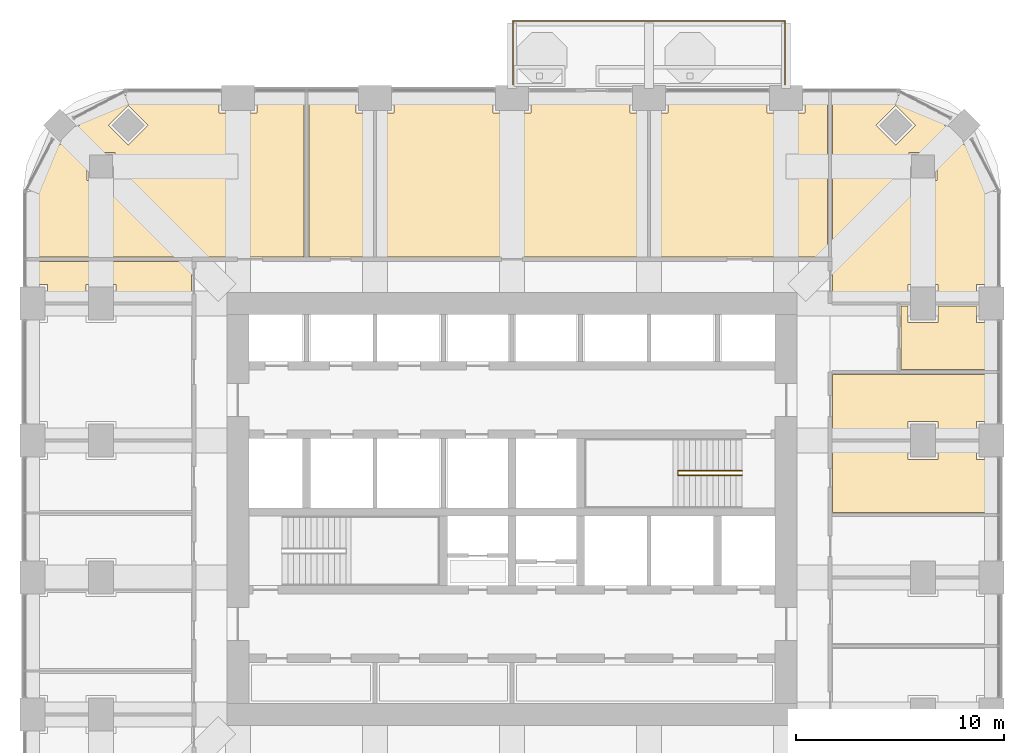
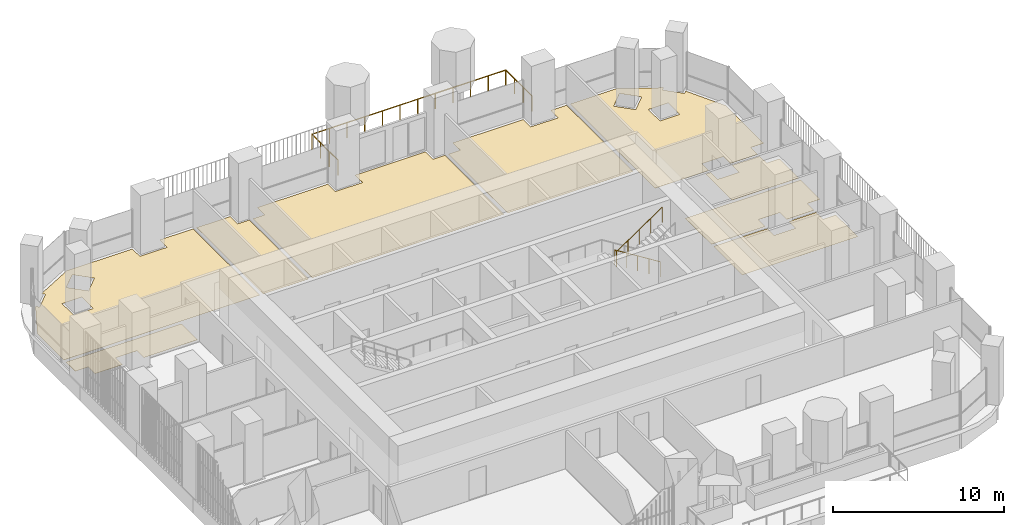
# One storey, part 18 of 19: 9 coverings, 2 railings.
"""IFC4 building model written with IfcOpenShell, lengths in metres."""

from ifc_helpers import new_model, si_unit, direction, frame, origin, place, context, subcontext, project, spatial, polyline, outline, extrude, material, layer, layer_set, type_object, element, save


model = new_model("IFC4")

# Units and contexts
model_context = context("Model", 3, precision=1e-05, world=origin(), true_north=direction((0.0, 1.0)))
body_context = subcontext(model_context, "Body", "Model", "MODEL_VIEW")
ifc_project = project(units=[si_unit("LENGTHUNIT", "METRE"), si_unit("AREAUNIT", "SQUARE_METRE"), si_unit("VOLUMEUNIT", "CUBIC_METRE"), si_unit("PLANEANGLEUNIT", "RADIAN"), si_unit("MASSUNIT", "GRAM", prefix="KILO")], contexts=[model_context])

# Site, building, storey
site_placement = place(None, origin())
site = spatial("IfcSite", under=ifc_project, at=site_placement, CompositionType="ELEMENT")
building_placement = place(site_placement, origin())
building = spatial("IfcBuilding", under=site, at=building_placement, Name="Cobogo Forest Laboratory Tower", CompositionType="ELEMENT")
storey_placement = place(building_placement, frame((0.0, 0.0, 197.699951171875)))
storey = spatial("IfcBuildingStorey", under=building, at=storey_placement, Name="L45", CompositionType="ELEMENT", Elevation=197.699951171875)

# Railing
ifc_material_1 = material(Name="Laminated glass balustrade", Category="glass")
railing_type_1 = type_object("IfcRailingType", Name="BG1 glass balustrade 1100", PredefinedType="GUARDRAIL", material=ifc_material_1)
railing_1_placement = place(storey_placement, frame((26.449951171875, 43.550048828125, 0.0)))
element("IfcRailing", 1, at=railing_1_placement, inside=storey, type_object=railing_type_1, Name="Balcony balustrade BAL-N1 L45", PredefinedType="GUARDRAIL", context=body_context, shape_type="SweptSolid", body=[
    extrude(outline(polyline([(0.022216796875, 0.00927734375), (0.00927734375, 0.022216796875), (-0.00927734375, 0.022216796875), (-0.022216796875, 0.00927734375), (-0.022216796875, -0.00927734375), (-0.00927734375, -0.022216796875), (0.00927734375, -0.022216796875), (0.022216796875, -0.00927734375), (0.022216796875, 0.00927734375)])), frame((0.0, 0.0, 1.077880859375), z_axis=(0.0, 1.0, 0.0), x_axis=(-1.0, 0.0, 0.0)), (0.0, 0.0, 1.0), 3.050048828125),
    extrude(outline(polyline([(0.022216796875, 0.00927734375), (0.00927734375, 0.022216796875), (-0.00927734375, 0.022216796875), (-0.022216796875, 0.00927734375), (-0.022216796875, -0.00927734375), (-0.00927734375, -0.022216796875), (0.00927734375, -0.022216796875), (0.022216796875, -0.00927734375), (0.022216796875, 0.00927734375)])), frame((0.0, 3.050048828125, 1.077880859375), z_axis=(1.0, 0.0, 0.0), x_axis=(0.0, 1.0, 0.0)), (0.0, 0.0, 1.0), 13.10009765625),
    extrude(outline(polyline([(0.022216796875, 0.00927734375), (0.00927734375, 0.022216796875), (-0.00927734375, 0.022216796875), (-0.022216796875, 0.00927734375), (-0.022216796875, -0.00927734375), (-0.00927734375, -0.022216796875), (0.00927734375, -0.022216796875), (0.022216796875, -0.00927734375), (0.022216796875, 0.00927734375)])), frame((13.10009765625, 3.050048828125, 1.077880859375), z_axis=(0.0, -1.0, 0.0), x_axis=(1.0, 0.0, 0.0)), (0.0, 0.0, 1.0), 3.050048828125),
    extrude(outline(polyline([(0.019287109375, 0.008056640625), (0.008056640625, 0.019287109375), (-0.008056640625, 0.019287109375), (-0.019287109375, 0.008056640625), (-0.019287109375, -0.008056640625), (-0.008056640625, -0.019287109375), (0.008056640625, -0.019287109375), (0.019287109375, -0.008056640625), (0.019287109375, 0.008056640625)])), origin(), (0.0, 0.0, 1.0), 1.077880859375),
    extrude(outline(polyline([(0.019287109375, 0.008056640625), (0.008056640625, 0.019287109375), (-0.008056640625, 0.019287109375), (-0.019287109375, 0.008056640625), (-0.019287109375, -0.008056640625), (-0.008056640625, -0.019287109375), (0.008056640625, -0.019287109375), (0.019287109375, -0.008056640625), (0.019287109375, 0.008056640625)])), frame((0.0, 1.0166015625, 0.0)), (0.0, 0.0, 1.0), 1.077880859375),
    extrude(outline(polyline([(0.019287109375, 0.008056640625), (0.008056640625, 0.019287109375), (-0.008056640625, 0.019287109375), (-0.019287109375, 0.008056640625), (-0.019287109375, -0.008056640625), (-0.008056640625, -0.019287109375), (0.008056640625, -0.019287109375), (0.019287109375, -0.008056640625), (0.019287109375, 0.008056640625)])), frame((0.0, 2.033447265625, 0.0)), (0.0, 0.0, 1.0), 1.077880859375),
    extrude(outline(polyline([(0.019287109375, 0.008056640625), (0.008056640625, 0.019287109375), (-0.008056640625, 0.019287109375), (-0.019287109375, 0.008056640625), (-0.019287109375, -0.008056640625), (-0.008056640625, -0.019287109375), (0.008056640625, -0.019287109375), (0.019287109375, -0.008056640625), (0.019287109375, 0.008056640625)])), frame((0.0, 3.050048828125, 0.0)), (0.0, 0.0, 1.0), 1.077880859375),
    extrude(outline(polyline([(0.019287109375, 0.008056640625), (0.008056640625, 0.019287109375), (-0.008056640625, 0.019287109375), (-0.019287109375, 0.008056640625), (-0.019287109375, -0.008056640625), (-0.008056640625, -0.019287109375), (0.008056640625, -0.019287109375), (0.019287109375, -0.008056640625), (0.019287109375, 0.008056640625)])), frame((1.19091796875, 3.050048828125, 0.0)), (0.0, 0.0, 1.0), 1.077880859375),
    extrude(outline(polyline([(0.019287109375, 0.008056640625), (0.008056640625, 0.019287109375), (-0.008056640625, 0.019287109375), (-0.019287109375, 0.008056640625), (-0.019287109375, -0.008056640625), (-0.008056640625, -0.019287109375), (0.008056640625, -0.019287109375), (0.019287109375, -0.008056640625), (0.019287109375, 0.008056640625)])), frame((2.3818359375, 3.050048828125, 0.0)), (0.0, 0.0, 1.0), 1.077880859375),
    extrude(outline(polyline([(0.019287109375, 0.008056640625), (0.008056640625, 0.019287109375), (-0.008056640625, 0.019287109375), (-0.019287109375, 0.008056640625), (-0.019287109375, -0.008056640625), (-0.008056640625, -0.019287109375), (0.008056640625, -0.019287109375), (0.019287109375, -0.008056640625), (0.019287109375, 0.008056640625)])), frame((3.57275390625, 3.050048828125, 0.0)), (0.0, 0.0, 1.0), 1.077880859375),
    extrude(outline(polyline([(0.019287109375, 0.008056640625), (0.008056640625, 0.019287109375), (-0.008056640625, 0.019287109375), (-0.019287109375, 0.008056640625), (-0.019287109375, -0.008056640625), (-0.008056640625, -0.019287109375), (0.008056640625, -0.019287109375), (0.019287109375, -0.008056640625), (0.019287109375, 0.008056640625)])), frame((4.763671875, 3.050048828125, 0.0)), (0.0, 0.0, 1.0), 1.077880859375),
    extrude(outline(polyline([(0.019287109375, 0.008056640625), (0.008056640625, 0.019287109375), (-0.008056640625, 0.019287109375), (-0.019287109375, 0.008056640625), (-0.019287109375, -0.008056640625), (-0.008056640625, -0.019287109375), (0.008056640625, -0.019287109375), (0.019287109375, -0.008056640625), (0.019287109375, 0.008056640625)])), frame((5.95458984375, 3.050048828125, 0.0)), (0.0, 0.0, 1.0), 1.077880859375),
    extrude(outline(polyline([(0.019287109375, 0.008056640625), (0.008056640625, 0.019287109375), (-0.008056640625, 0.019287109375), (-0.019287109375, 0.008056640625), (-0.019287109375, -0.008056640625), (-0.008056640625, -0.019287109375), (0.008056640625, -0.019287109375), (0.019287109375, -0.008056640625), (0.019287109375, 0.008056640625)])), frame((7.1455078125, 3.050048828125, 0.0)), (0.0, 0.0, 1.0), 1.077880859375),
    extrude(outline(polyline([(0.019287109375, 0.008056640625), (0.008056640625, 0.019287109375), (-0.008056640625, 0.019287109375), (-0.019287109375, 0.008056640625), (-0.019287109375, -0.008056640625), (-0.008056640625, -0.019287109375), (0.008056640625, -0.019287109375), (0.019287109375, -0.008056640625), (0.019287109375, 0.008056640625)])), frame((8.33642578125, 3.050048828125, 0.0)), (0.0, 0.0, 1.0), 1.077880859375),
    extrude(outline(polyline([(0.019287109375, 0.008056640625), (0.008056640625, 0.019287109375), (-0.008056640625, 0.019287109375), (-0.019287109375, 0.008056640625), (-0.019287109375, -0.008056640625), (-0.008056640625, -0.019287109375), (0.008056640625, -0.019287109375), (0.019287109375, -0.008056640625), (0.019287109375, 0.008056640625)])), frame((9.52734375, 3.050048828125, 0.0)), (0.0, 0.0, 1.0), 1.077880859375),
    extrude(outline(polyline([(0.019287109375, 0.008056640625), (0.008056640625, 0.019287109375), (-0.008056640625, 0.019287109375), (-0.019287109375, 0.008056640625), (-0.019287109375, -0.008056640625), (-0.008056640625, -0.019287109375), (0.008056640625, -0.019287109375), (0.019287109375, -0.008056640625), (0.019287109375, 0.008056640625)])), frame((10.71826171875, 3.050048828125, 0.0)), (0.0, 0.0, 1.0), 1.077880859375),
    extrude(outline(polyline([(0.019287109375, 0.008056640625), (0.008056640625, 0.019287109375), (-0.008056640625, 0.019287109375), (-0.019287109375, 0.008056640625), (-0.019287109375, -0.008056640625), (-0.008056640625, -0.019287109375), (0.008056640625, -0.019287109375), (0.019287109375, -0.008056640625), (0.019287109375, 0.008056640625)])), frame((11.9091796875, 3.050048828125, 0.0)), (0.0, 0.0, 1.0), 1.077880859375),
    extrude(outline(polyline([(0.019287109375, 0.008056640625), (0.008056640625, 0.019287109375), (-0.008056640625, 0.019287109375), (-0.019287109375, 0.008056640625), (-0.019287109375, -0.008056640625), (-0.008056640625, -0.019287109375), (0.008056640625, -0.019287109375), (0.019287109375, -0.008056640625), (0.019287109375, 0.008056640625)])), frame((13.10009765625, 3.050048828125, 0.0)), (0.0, 0.0, 1.0), 1.077880859375),
    extrude(outline(polyline([(0.019287109375, 0.008056640625), (0.008056640625, 0.019287109375), (-0.008056640625, 0.019287109375), (-0.019287109375, 0.008056640625), (-0.019287109375, -0.008056640625), (-0.008056640625, -0.019287109375), (0.008056640625, -0.019287109375), (0.019287109375, -0.008056640625), (0.019287109375, 0.008056640625)])), frame((13.10009765625, 2.033447265625, 0.0)), (0.0, 0.0, 1.0), 1.077880859375),
    extrude(outline(polyline([(0.019287109375, 0.008056640625), (0.008056640625, 0.019287109375), (-0.008056640625, 0.019287109375), (-0.019287109375, 0.008056640625), (-0.019287109375, -0.008056640625), (-0.008056640625, -0.019287109375), (0.008056640625, -0.019287109375), (0.019287109375, -0.008056640625), (0.019287109375, 0.008056640625)])), frame((13.10009765625, 1.0166015625, 0.0)), (0.0, 0.0, 1.0), 1.077880859375),
    extrude(outline(polyline([(0.019287109375, 0.008056640625), (0.008056640625, 0.019287109375), (-0.008056640625, 0.019287109375), (-0.019287109375, 0.008056640625), (-0.019287109375, -0.008056640625), (-0.008056640625, -0.019287109375), (0.008056640625, -0.019287109375), (0.019287109375, -0.008056640625), (0.019287109375, 0.008056640625)])), frame((13.10009765625, 0.0, 0.0)), (0.0, 0.0, 1.0), 1.077880859375),
])

# Coverings
ifc_material_2 = material(Name="Carpet tile on raised access floor", Category="flooring")
ifc_layer_1 = layer(ifc_material_2, 0.008056640625)
ifc_layer_set_1 = layer_set([ifc_layer_1], Name="CT1 carpet tile floor 8")
covering_type_1 = type_object("IfcCoveringType", Name="CT1 carpet tile floor 8", PredefinedType="FLOORING", material=ifc_layer_set_1)
covering_1_placement = place(storey_placement, origin())
element("IfcCovering", 2, at=covering_1_placement, inside=storey, type_object=covering_type_1, Name="Carpet floor L45-09", PredefinedType="FLOORING", context=body_context, shape_type="SweptSolid", body=[
    extrude(outline(polyline([(41.844970703125, 29.580078125), (49.64990234375, 29.580078125), (49.64990234375, 27.320068359375), (48.780029296875, 27.320068359375), (48.780029296875, 26.52001953125), (46.919921875, 26.52001953125), (46.919921875, 27.320068359375), (45.47998046875, 27.320068359375), (45.47998046875, 26.52001953125), (41.844970703125, 26.52001953125), (41.844970703125, 29.580078125)])), origin(), (0.0, 0.0, 1.0), 0.008056640625),
])
covering_2_placement = place(storey_placement, origin())
element("IfcCovering", 3, at=covering_2_placement, inside=storey, type_object=covering_type_1, Name="Carpet floor L45-10", PredefinedType="FLOORING", context=body_context, shape_type="SweptSolid", body=[
    extrude(outline(polyline([(45.14501953125, 32.8798828125), (45.47998046875, 32.8798828125), (45.47998046875, 32.080078125), (46.919921875, 32.080078125), (46.919921875, 32.8798828125), (48.780029296875, 32.8798828125), (48.780029296875, 32.080078125), (49.64990234375, 32.080078125), (49.64990234375, 29.820068359375), (45.14501953125, 29.820068359375), (45.14501953125, 32.8798828125)])), origin(), (0.0, 0.0, 1.0), 0.008056640625),
])
covering_3_placement = place(storey_placement, origin())
element("IfcCovering", 4, at=covering_3_placement, inside=storey, type_object=covering_type_1, Name="Carpet floor L45-13", PredefinedType="FLOORING", context=body_context, shape_type="SweptSolid", body=[
    extrude(outline(polyline([(16.6201171875, 35.2451171875), (16.6201171875, 43.050048828125), (18.8798828125, 43.050048828125), (18.8798828125, 42.179931640625), (19.679931640625, 42.179931640625), (19.679931640625, 35.2451171875), (16.6201171875, 35.2451171875)])), origin(), (0.0, 0.0, 1.0), 0.008056640625),
])
covering_4_placement = place(storey_placement, origin())
element("IfcCovering", 5, at=covering_4_placement, inside=storey, type_object=covering_type_1, Name="Carpet floor L45-14", PredefinedType="FLOORING", context=body_context, shape_type="SweptSolid", body=[
    extrude(outline(polyline([(19.919921875, 35.2451171875), (19.919921875, 42.179931640625), (20.719970703125, 42.179931640625), (20.719970703125, 43.050048828125), (25.47998046875, 43.050048828125), (25.47998046875, 42.179931640625), (27.320068359375, 42.179931640625), (27.320068359375, 43.050048828125), (32.080078125, 43.050048828125), (32.080078125, 42.179931640625), (32.8798828125, 42.179931640625), (32.8798828125, 35.2451171875), (19.919921875, 35.2451171875)])), origin(), (0.0, 0.0, 1.0), 0.008056640625),
])

# Railing
ifc_material_3 = material(Name="Steel balustrade", Category="steel")
railing_type_2 = type_object("IfcRailingType", Name="GR stair guard 1100", PredefinedType="GUARDRAIL", material=ifc_material_3)
railing_2_placement = place(storey_placement, frame((37.47509765625, 24.929931640625, 0.175048828125)))
element("IfcRailing", 6, at=railing_2_placement, inside=storey, type_object=railing_type_2, Name="Stair guard ST2 L45", PredefinedType="GUARDRAIL", context=body_context, shape_type="SweptSolid", body=[
    extrude(outline(polyline([(0.022216796875, 0.00927734375), (0.00927734375, 0.022216796875), (-0.00927734375, 0.022216796875), (-0.022216796875, 0.00927734375), (-0.022216796875, -0.00927734375), (-0.00927734375, -0.022216796875), (0.00927734375, -0.022216796875), (0.022216796875, -0.00927734375), (0.022216796875, 0.00927734375)])), frame((0.0, 0.0, 1.077880859375), z_axis=(-0.847998304005, 0.0, 0.529998940003), x_axis=(0.0, -1.0, 0.0)), (0.0, 0.0, 1.0), 3.632080078125),
    extrude(outline(polyline([(0.022216796875, 0.00927734375), (0.00927734375, 0.022216796875), (-0.00927734375, 0.022216796875), (-0.022216796875, 0.00927734375), (-0.022216796875, -0.00927734375), (-0.00927734375, -0.022216796875), (0.00927734375, -0.022216796875), (0.022216796875, -0.00927734375), (0.022216796875, 0.00927734375)])), frame((-3.080078125, 0.0, 3.0029296875), z_axis=(0.0, -1.0, 0.0), x_axis=(1.0, 0.0, 0.0)), (0.0, 0.0, 1.0), 0.2099609375),
    extrude(outline(polyline([(0.022216796875, 0.00927734375), (0.00927734375, 0.022216796875), (-0.00927734375, 0.022216796875), (-0.022216796875, 0.00927734375), (-0.022216796875, -0.00927734375), (-0.00927734375, -0.022216796875), (0.00927734375, -0.022216796875), (0.022216796875, -0.00927734375), (0.022216796875, 0.00927734375)])), frame((-3.080078125, -0.2099609375, 3.0029296875), z_axis=(0.826252282691, 0.0, 0.563300244406), x_axis=(0.0, 1.0, 0.0)), (0.0, 0.0, 1.0), 3.727783203125),
    extrude(outline(polyline([(0.019287109375, 0.008056640625), (0.008056640625, 0.019287109375), (-0.008056640625, 0.019287109375), (-0.019287109375, 0.008056640625), (-0.019287109375, -0.008056640625), (-0.008056640625, -0.019287109375), (0.008056640625, -0.019287109375), (0.019287109375, -0.008056640625), (0.019287109375, 0.008056640625)])), origin(), (0.0, 0.0, 1.0), 1.077880859375),
    extrude(outline(polyline([(0.019287109375, 0.008056640625), (0.008056640625, 0.019287109375), (-0.008056640625, 0.019287109375), (-0.019287109375, 0.008056640625), (-0.019287109375, -0.008056640625), (-0.008056640625, -0.019287109375), (0.008056640625, -0.019287109375), (0.019287109375, -0.008056640625), (0.019287109375, 0.008056640625)])), frame((-0.77001953125, 0.0, 0.481201171875)), (0.0, 0.0, 1.0), 1.077880859375),
    extrude(outline(polyline([(0.019287109375, 0.008056640625), (0.008056640625, 0.019287109375), (-0.008056640625, 0.019287109375), (-0.019287109375, 0.008056640625), (-0.019287109375, -0.008056640625), (-0.008056640625, -0.019287109375), (0.008056640625, -0.019287109375), (0.019287109375, -0.008056640625), (0.019287109375, 0.008056640625)])), frame((-1.5400390625, 0.0, 0.96240234375)), (0.0, 0.0, 1.0), 1.077880859375),
    extrude(outline(polyline([(0.019287109375, 0.008056640625), (0.008056640625, 0.019287109375), (-0.008056640625, 0.019287109375), (-0.019287109375, 0.008056640625), (-0.019287109375, -0.008056640625), (-0.008056640625, -0.019287109375), (0.008056640625, -0.019287109375), (0.019287109375, -0.008056640625), (0.019287109375, 0.008056640625)])), frame((-2.31005859375, 0.0, 1.44384765625)), (0.0, 0.0, 1.0), 1.077880859375),
    extrude(outline(polyline([(0.019287109375, 0.008056640625), (0.008056640625, 0.019287109375), (-0.008056640625, 0.019287109375), (-0.019287109375, 0.008056640625), (-0.019287109375, -0.008056640625), (-0.008056640625, -0.019287109375), (0.008056640625, -0.019287109375), (0.019287109375, -0.008056640625), (0.019287109375, 0.008056640625)])), frame((-3.080078125, 0.0, 1.925048828125)), (0.0, 0.0, 1.0), 1.077880859375),
    extrude(outline(polyline([(0.019287109375, 0.008056640625), (0.008056640625, 0.019287109375), (-0.008056640625, 0.019287109375), (-0.019287109375, 0.008056640625), (-0.019287109375, -0.008056640625), (-0.008056640625, -0.019287109375), (0.008056640625, -0.019287109375), (0.019287109375, -0.008056640625), (0.019287109375, 0.008056640625)])), frame((-3.080078125, -0.2099609375, 1.925048828125)), (0.0, 0.0, 1.0), 1.077880859375),
    extrude(outline(polyline([(0.019287109375, 0.008056640625), (0.008056640625, 0.019287109375), (-0.008056640625, 0.019287109375), (-0.019287109375, 0.008056640625), (-0.019287109375, -0.008056640625), (-0.008056640625, -0.019287109375), (0.008056640625, -0.019287109375), (0.019287109375, -0.008056640625), (0.019287109375, 0.008056640625)])), frame((-2.31005859375, -0.2099609375, 2.449951171875)), (0.0, 0.0, 1.0), 1.077880859375),
    extrude(outline(polyline([(0.019287109375, 0.008056640625), (0.008056640625, 0.019287109375), (-0.008056640625, 0.019287109375), (-0.019287109375, 0.008056640625), (-0.019287109375, -0.008056640625), (-0.008056640625, -0.019287109375), (0.008056640625, -0.019287109375), (0.019287109375, -0.008056640625), (0.019287109375, 0.008056640625)])), frame((-1.5400390625, -0.2099609375, 2.97509765625)), (0.0, 0.0, 1.0), 1.077880859375),
    extrude(outline(polyline([(0.019287109375, 0.008056640625), (0.008056640625, 0.019287109375), (-0.008056640625, 0.019287109375), (-0.019287109375, 0.008056640625), (-0.019287109375, -0.008056640625), (-0.008056640625, -0.019287109375), (0.008056640625, -0.019287109375), (0.019287109375, -0.008056640625), (0.019287109375, 0.008056640625)])), frame((-0.77001953125, -0.2099609375, 3.5)), (0.0, 0.0, 1.0), 1.077880859375),
    extrude(outline(polyline([(0.019287109375, 0.008056640625), (0.008056640625, 0.019287109375), (-0.008056640625, 0.019287109375), (-0.019287109375, 0.008056640625), (-0.019287109375, -0.008056640625), (-0.008056640625, -0.019287109375), (0.008056640625, -0.019287109375), (0.019287109375, -0.008056640625), (0.019287109375, 0.008056640625)])), frame((0.0, -0.2099609375, 4.02490234375)), (0.0, 0.0, 1.0), 1.077880859375),
])

# Coverings
ifc_material_4 = material(Name="Epoxy resin flooring", Category="flooring")
ifc_layer_2 = layer(ifc_material_4, 0.00390625)
ifc_layer_set_2 = layer_set([ifc_layer_2], Name="LF1 epoxy laboratory floor 4")
covering_type_2 = type_object("IfcCoveringType", Name="LF1 epoxy laboratory floor 4", PredefinedType="FLOORING", material=ifc_layer_set_2)
covering_5_placement = place(storey_placement, origin())
element("IfcCovering", 7, at=covering_5_placement, inside=storey, type_object=covering_type_2, Name="Epoxy laboratory floor L45-11", PredefinedType="FLOORING", context=body_context, shape_type="SweptSolid", body=[
    extrude(outline(polyline([(41.844970703125, 43.050048828125), (44.95068359375, 43.050048828125), (47.412109375, 41.759765625), (47.234375, 41.58203125), (48.181884765625, 40.634521484375), (48.359619140625, 40.812255859375), (49.64990234375, 38.350830078125), (49.64990234375, 33.919921875), (48.780029296875, 33.919921875), (48.780029296875, 33.1201171875), (46.919921875, 33.1201171875), (46.919921875, 33.919921875), (45.47998046875, 33.919921875), (45.47998046875, 33.1201171875), (41.844970703125, 33.1201171875), (41.844970703125, 43.050048828125)]), holes=[polyline([(45.530029296875, 40.27001953125), (45.530029296875, 38.929931640625), (46.8701171875, 38.929931640625), (46.8701171875, 40.27001953125), (45.530029296875, 40.27001953125)]), polyline([(44.882080078125, 40.634521484375), (45.82958984375, 41.58203125), (44.882080078125, 42.529541015625), (43.9345703125, 41.58203125), (44.882080078125, 40.634521484375)])]), origin(), (0.0, 0.0, 1.0), 0.004150390625),
])
ifc_material_5 = material(Name="Static-dissipative vinyl flooring", Category="flooring")
ifc_layer_3 = layer(ifc_material_5, 0.0029296875)
ifc_layer_set_3 = layer_set([ifc_layer_3], Name="SD1 static-dissipative vinyl floor 3")
covering_type_3 = type_object("IfcCoveringType", Name="SD1 static-dissipative vinyl floor 3", PredefinedType="FLOORING", material=ifc_layer_set_3)
covering_6_placement = place(storey_placement, origin())
element("IfcCovering", 8, at=covering_6_placement, inside=storey, type_object=covering_type_3, Name="Static-dissipative floor L45-08", PredefinedType="FLOORING", context=body_context, shape_type="SweptSolid", body=[
    extrude(outline(polyline([(41.844970703125, 26.280029296875), (45.47998046875, 26.280029296875), (45.47998046875, 25.47998046875), (46.919921875, 25.47998046875), (46.919921875, 26.280029296875), (48.780029296875, 26.280029296875), (48.780029296875, 25.47998046875), (49.64990234375, 25.47998046875), (49.64990234375, 22.919921875), (41.844970703125, 22.919921875), (41.844970703125, 26.280029296875)])), origin(), (0.0, 0.0, 1.0), 0.0029296875),
])
covering_7_placement = place(storey_placement, origin())
element("IfcCovering", 9, at=covering_7_placement, inside=storey, type_object=covering_type_3, Name="Static-dissipative floor L45-12", PredefinedType="FLOORING", context=body_context, shape_type="SweptSolid", body=[
    extrude(outline(polyline([(3.14990234375, 35.2451171875), (3.14990234375, 38.350830078125), (4.440185546875, 40.812255859375), (4.617919921875, 40.634521484375), (5.5654296875, 41.58203125), (5.387939453125, 41.759765625), (7.84912109375, 43.050048828125), (12.280029296875, 43.050048828125), (12.280029296875, 42.179931640625), (14.1201171875, 42.179931640625), (14.1201171875, 43.050048828125), (16.3798828125, 43.050048828125), (16.3798828125, 35.2451171875), (3.14990234375, 35.2451171875)]), holes=[polyline([(7.91796875, 40.634521484375), (8.865478515625, 41.58203125), (7.91796875, 42.529541015625), (6.970458984375, 41.58203125), (7.91796875, 40.634521484375)]), polyline([(5.929931640625, 38.929931640625), (7.27001953125, 38.929931640625), (7.27001953125, 40.27001953125), (5.929931640625, 40.27001953125), (5.929931640625, 38.929931640625)])]), origin(), (0.0, 0.0, 1.0), 0.0029296875),
])
covering_8_placement = place(storey_placement, origin())
element("IfcCovering", 10, at=covering_8_placement, inside=storey, type_object=covering_type_3, Name="Static-dissipative floor L45-15", PredefinedType="FLOORING", context=body_context, shape_type="SweptSolid", body=[
    extrude(outline(polyline([(33.1201171875, 35.2451171875), (33.1201171875, 42.179931640625), (33.919921875, 42.179931640625), (33.919921875, 43.050048828125), (38.679931640625, 43.050048828125), (38.679931640625, 42.179931640625), (40.52001953125, 42.179931640625), (40.52001953125, 43.050048828125), (41.60498046875, 43.050048828125), (41.60498046875, 35.2451171875), (33.1201171875, 35.2451171875)])), origin(), (0.0, 0.0, 1.0), 0.0029296875),
])
covering_9_placement = place(storey_placement, origin())
element("IfcCovering", 11, at=covering_9_placement, inside=storey, type_object=covering_type_3, Name="Static-dissipative floor L45-22", PredefinedType="FLOORING", context=body_context, shape_type="SweptSolid", body=[
    extrude(outline(polyline([(10.955078125, 33.1201171875), (7.320068359375, 33.1201171875), (7.320068359375, 33.919921875), (5.8798828125, 33.919921875), (5.8798828125, 33.1201171875), (4.02001953125, 33.1201171875), (4.02001953125, 33.919921875), (3.14990234375, 33.919921875), (3.14990234375, 35.0048828125), (10.955078125, 35.0048828125), (10.955078125, 33.1201171875)])), origin(), (0.0, 0.0, 1.0), 0.0029296875),
])

save(model, "model.ifc")
